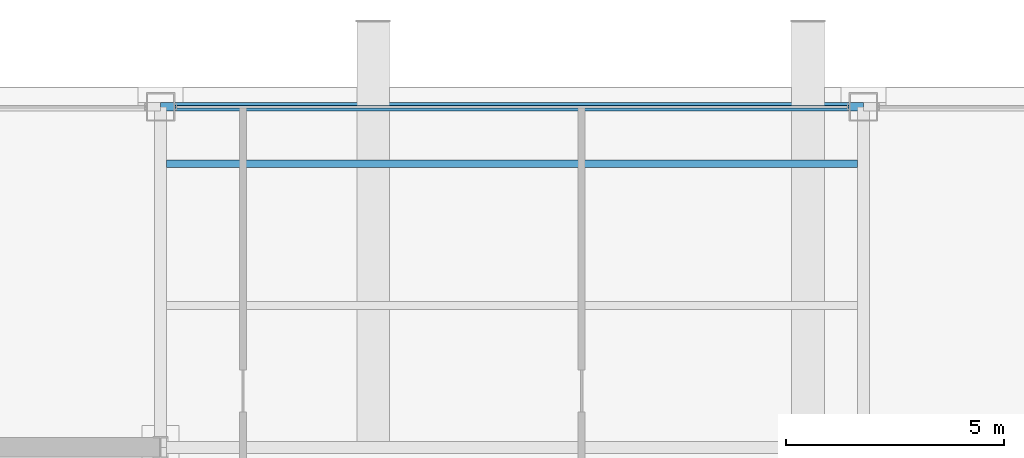
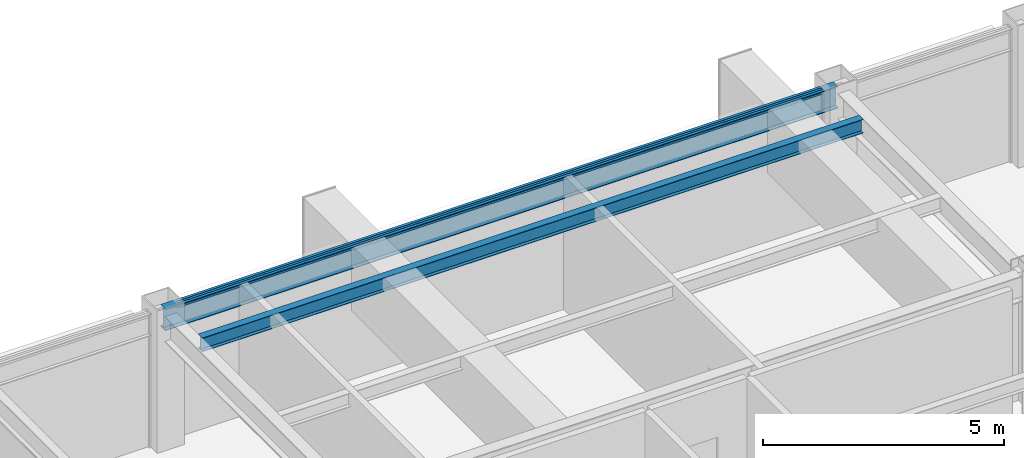
# One storey, part 14 of 20: 2 beams, 1 member, 1 element without a shape of its own.
"""IFC4 building model written with IfcOpenShell, lengths in metres."""

from ifc_helpers import new_model, si_unit, direction, frame, origin, origin_2d, place, context, subcontext, project, spatial, hollow_rectangle, i_section, extrude, material, layer, layer_set, material_profile, profile_set, type_object, element, aggregate, save


model = new_model("IFC4")

# Units and contexts
model_context = context("Model", 3, precision=1e-05, world=origin(), true_north=direction((0.0, 1.0)))
body_context = subcontext(model_context, "Body", "Model", "MODEL_VIEW")
ifc_project = project(units=[si_unit("LENGTHUNIT", "METRE"), si_unit("AREAUNIT", "SQUARE_METRE"), si_unit("VOLUMEUNIT", "CUBIC_METRE"), si_unit("PLANEANGLEUNIT", "RADIAN"), si_unit("MASSUNIT", "GRAM", prefix="KILO")], contexts=[model_context])

# Site, building, storey
site_placement = place(None, origin())
site = spatial("IfcSite", under=ifc_project, at=site_placement, CompositionType="ELEMENT")
building_placement = place(site_placement, origin())
building = spatial("IfcBuilding", under=site, at=building_placement, Name="Brelmoor Portico Tower", CompositionType="ELEMENT")
storey_placement = place(building_placement, frame((0.0, 0.0, 218.39990234375)))
storey = spatial("IfcBuildingStorey", under=building, at=storey_placement, Name="L57", CompositionType="ELEMENT", Elevation=218.39990234375)

# Beams
ifc_material_1 = material(Name="Steel Q355B", Category="steel")
ifc_material_profile_1 = material_profile(ifc_material_1, i_section(OverallWidth=0.175048828125, OverallDepth=0.35009765625, WebThickness=0.007080078125, FlangeThickness=0.010986328125, at=origin_2d()), Name="HN 350x175x7x11")
ifc_profile_set_1 = profile_set([ifc_material_profile_1], Name="Steel Q355B")
beam_type_1 = type_object("IfcBeamType", Name="BM-JS-350", PredefinedType="JOIST", material=ifc_profile_set_1)
beam_1_placement = place(storey_placement, frame((-7.909912109375, 16.25, 3.22509765625), z_axis=(1.0, 0.0, 0.0), x_axis=(0.0, 1.0, 0.0)))
element("IfcBeam", 1, at=beam_1_placement, inside=storey, type_object=beam_type_1, Name="L57 Secondary Composite Joist JS-C06", PredefinedType="JOIST", context=body_context, shape_type="SweptSolid", body=[
    extrude(i_section(OverallWidth=0.175048828125, OverallDepth=0.35009765625, WebThickness=0.007080078125, FlangeThickness=0.010986328125, at=origin_2d()), origin(), (0.0, 0.0, 1.0), 15.81982421875),
])
ifc_material_profile_2 = material_profile(ifc_material_1, i_section(OverallWidth=0.199951171875, OverallDepth=0.550048828125, WebThickness=0.010009765625, FlangeThickness=0.01611328125, at=origin_2d()), Name="HN 550x200x10x16")
ifc_profile_set_2 = profile_set([ifc_material_profile_2], Name="Steel Q355B")
beam_type_2 = type_object("IfcBeamType", Name="BM-SP-550", PredefinedType="SPANDREL", material=ifc_profile_set_2)
beam_2_placement = place(storey_placement, frame((-8.050048828125, 17.550048828125, 3.125), z_axis=(1.0, 0.0, 0.0), x_axis=(0.0, 1.0, 0.0)))
element("IfcBeam", 2, at=beam_2_placement, inside=storey, type_object=beam_type_2, Name="L57 Perimeter Spandrel Beam SP-09", PredefinedType="SPANDREL", context=body_context, shape_type="SweptSolid", body=[
    extrude(i_section(OverallWidth=0.199951171875, OverallDepth=0.550048828125, WebThickness=0.010009765625, FlangeThickness=0.01611328125, at=origin_2d()), origin(), (0.0, 0.0, 1.0), 16.10009765625),
])

# Curtain wall, member
ifc_material_2 = material(Name="Anodised Aluminium Alloy 6063-T6", Category="aluminium")
ifc_layer = layer(ifc_material_2, 0.179931640625)
ifc_layer_set = layer_set([ifc_layer], Name="Anodised Aluminium Alloy 6063-T6")
curtain_wall_type = type_object("IfcCurtainWallType", Name="CW-TOWER-Z4-XB", PredefinedType="NOTDEFINED", material=ifc_layer_set)
curtain_wall_placement = place(storey_placement, origin())
curtain_wall = element("IfcCurtainWall", 3, at=curtain_wall_placement, inside=storey, type_object=curtain_wall_type, Name="L57 Curtain Wall CW-L57-02-2", PredefinedType="NOTDEFINED")
ifc_material_profile_3 = material_profile(ifc_material_2, hollow_rectangle(XDim=0.06005859375, YDim=0.125, WallThickness=0.00341796875, at=origin_2d()), Name="ALU TRANSOM 60x125")
ifc_profile_set_3 = profile_set([ifc_material_profile_3], Name="Anodised Aluminium Alloy 6063-T6")
member_type = type_object("IfcMemberType", Name="MB-CW-TRAN-125", PredefinedType="USERDEFINED", material=ifc_profile_set_3)
member_placement = place(storey_placement, frame((-7.715087890625, 17.550048828125, 3.337646484375), z_axis=(1.0, 0.0, 0.0), x_axis=(0.0, 1.0, 0.0)))
member = element("IfcMember", 4, at=member_placement, type_object=member_type, Name="CW-L57-02-2 Transom 1-00", ObjectType="TRANSOM", PredefinedType="USERDEFINED", context=body_context, shape_type="SweptSolid", body=[
    extrude(hollow_rectangle(XDim=0.06005859375, YDim=0.125, WallThickness=0.00341796875, at=origin_2d()), origin(), (0.0, 0.0, 1.0), 15.43017578125),
])
aggregate(curtain_wall, [member])

save(model, "model.ifc")
